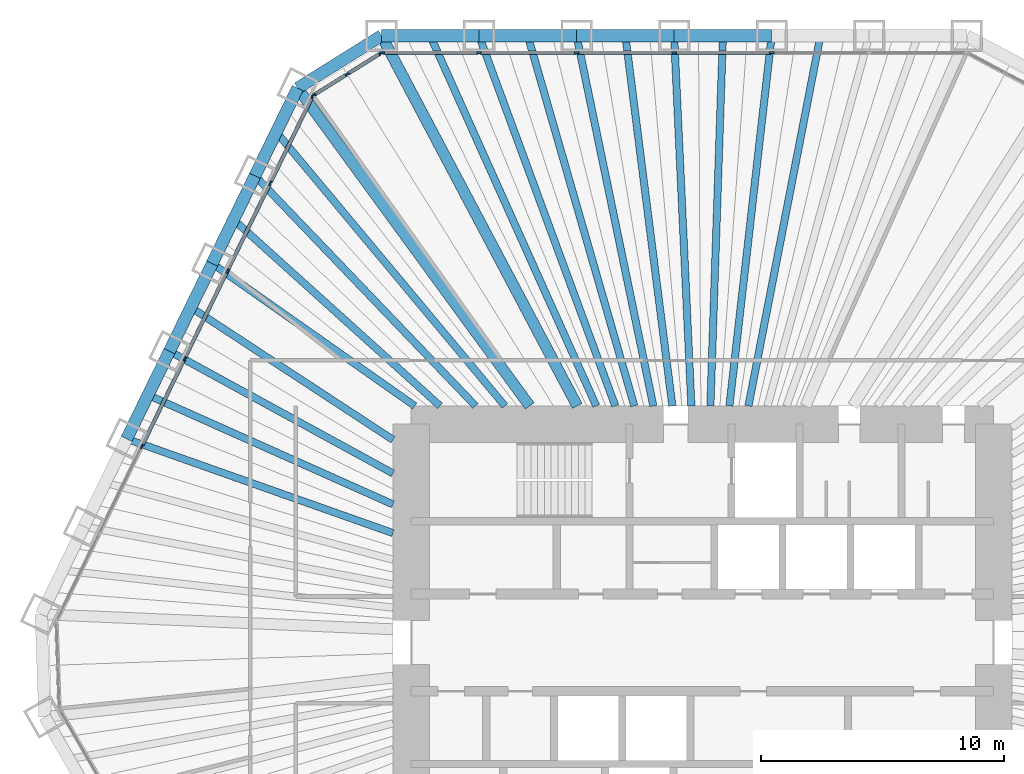
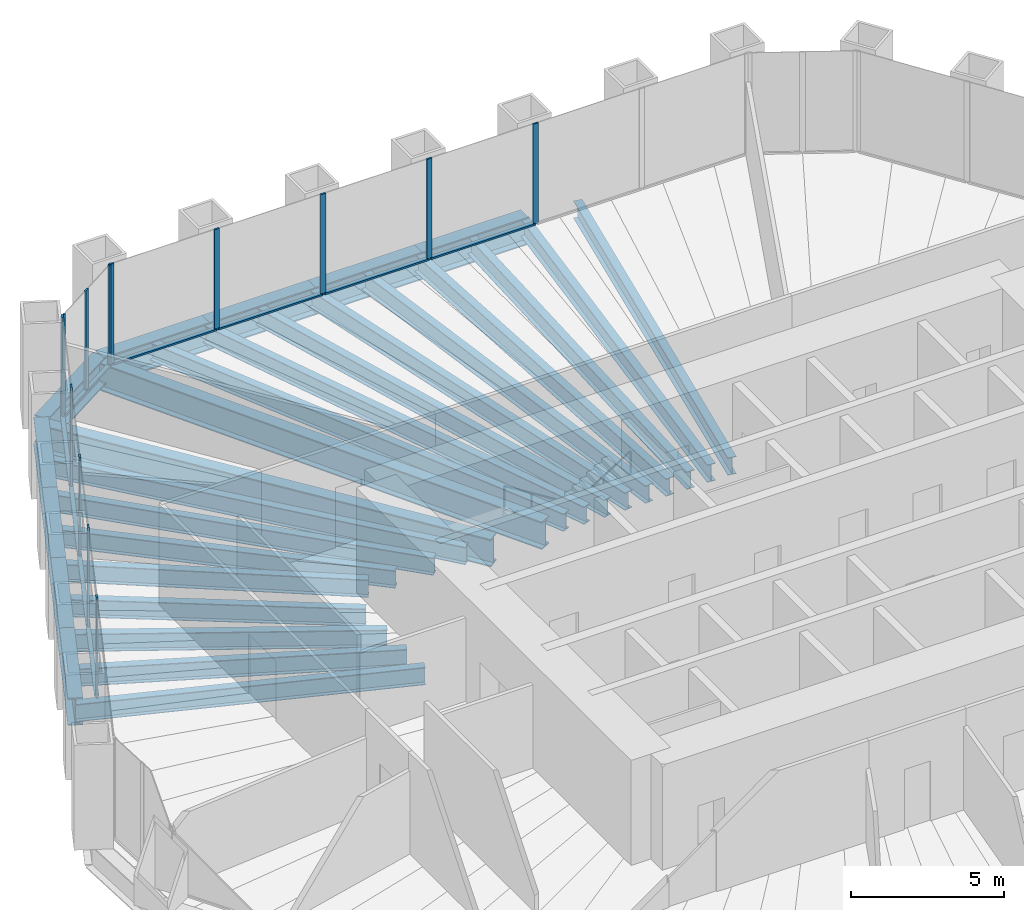
# One storey, part 6 of 13: 28 beams, 23 members, 3 elements without a shape of their own.
"""IFC4 building model written with IfcOpenShell, lengths in metres."""

from ifc_helpers import new_model, si_unit, direction, frame, origin, origin_2d, place, context, subcontext, project, spatial, rectangle, i_section, extrude, material, material_profile, profile_set, type_object, element, aggregate, save


model = new_model("IFC4")

# Units and contexts
model_context = context("Model", 3, precision=1e-05, world=origin(), true_north=direction((0.0, 1.0)))
body_context = subcontext(model_context, "Body", "Model", "MODEL_VIEW")
ifc_project = project(units=[si_unit("LENGTHUNIT", "METRE"), si_unit("AREAUNIT", "SQUARE_METRE"), si_unit("VOLUMEUNIT", "CUBIC_METRE"), si_unit("PLANEANGLEUNIT", "RADIAN"), si_unit("MASSUNIT", "GRAM", prefix="KILO")], contexts=[model_context])

# Site, building, storey
site_placement = place(None, origin())
site = spatial("IfcSite", under=ifc_project, at=site_placement, CompositionType="ELEMENT")
building_placement = place(site_placement, origin())
building = spatial("IfcBuilding", under=site, at=building_placement, Name="Qingtian Harvest Tower", CompositionType="ELEMENT")
storey_placement = place(building_placement, frame((0.0, 0.0, 115.60009765625)))
storey = spatial("IfcBuildingStorey", under=building, at=storey_placement, Name="L23", CompositionType="ELEMENT", Elevation=115.60009765625)

# Beams
ifc_material_1 = material(Name="Steel SM570MC", Category="steel")
ifc_material_profile_1 = material_profile(ifc_material_1, i_section(OverallWidth=0.449951171875, OverallDepth=1.10009765625, WebThickness=0.02197265625, FlangeThickness=0.044921875, at=origin_2d()), Name="H1100x450x22x45")
ifc_profile_set_1 = profile_set([ifc_material_profile_1], Name="Steel SM570MC")
beam_type_1 = type_object("IfcBeamType", Name="Corner floor beam FB8 H1100x450x22x45", PredefinedType="BEAM", material=ifc_profile_set_1)
beam_1_placement = place(storey_placement, frame((-13.2216796875, 25.0, -0.72021484375), z_axis=(0.46750989692, -0.88398783718, 0.0), x_axis=(0.88398783718, 0.46750989692, 0.0)))
element("IfcBeam", 1, at=beam_1_placement, inside=storey, type_object=beam_type_1, Name="Floor beam FB8 N0", PredefinedType="BEAM", context=body_context, shape_type="SweptSolid", body=[
    extrude(i_section(OverallWidth=0.449951171875, OverallDepth=1.10009765625, WebThickness=0.02197265625, FlangeThickness=0.044921875, at=origin_2d()), origin(), (0.0, 0.0, 1.0), 17.25146484375),
])
beam_2_placement = place(storey_placement, frame((-16.673828125, 22.8427734375, -0.72021484375), z_axis=(0.589577703364, -0.807711663712, 0.0), x_axis=(0.807711663712, 0.589577703364, 0.0)))
element("IfcBeam", 2, at=beam_2_placement, inside=storey, type_object=beam_type_1, Name="Floor beam FB8 NW6", PredefinedType="BEAM", context=body_context, shape_type="SweptSolid", body=[
    extrude(i_section(OverallWidth=0.449951171875, OverallDepth=1.10009765625, WebThickness=0.02197265625, FlangeThickness=0.044921875, at=origin_2d()), origin(), (0.0, 0.0, 1.0), 16.209716796875),
])
ifc_material_2 = material(Name="Steel SN490B", Category="steel")
ifc_material_profile_2 = material_profile(ifc_material_2, i_section(OverallWidth=0.300048828125, OverallDepth=0.699951171875, WebThickness=0.012939453125, FlangeThickness=0.02392578125, at=origin_2d()), Name="H700x300x13x24")
ifc_profile_set_2 = profile_set([ifc_material_profile_2], Name="Steel SN490B")
beam_type_2 = type_object("IfcBeamType", Name="Floor beam FB2 H700x300x13x24", PredefinedType="BEAM", material=ifc_profile_set_2)
beam_3_placement = place(storey_placement, frame((-9.20263671875, 25.0, -0.52001953125), z_axis=(0.345440084985, -0.938440806703, 0.0), x_axis=(0.938440806703, 0.345440084985, 0.0)))
element("IfcBeam", 3, at=beam_3_placement, inside=storey, type_object=beam_type_2, Name="Floor beam FB2 N1", PredefinedType="BEAM", context=body_context, shape_type="SweptSolid", body=[
    extrude(i_section(OverallWidth=0.300048828125, OverallDepth=0.699951171875, WebThickness=0.012939453125, FlangeThickness=0.02392578125, at=origin_2d()), origin(), (0.0, 0.0, 1.0), 16.250244140625),
])
beam_4_placement = place(storey_placement, frame((-5.18359375, 25.0, -0.52001953125), z_axis=(0.203032709566, -0.979171955709, 0.0), x_axis=(0.979171955709, 0.203032709566, 0.0)))
element("IfcBeam", 4, at=beam_4_placement, inside=storey, type_object=beam_type_2, Name="Floor beam FB2 N2", PredefinedType="BEAM", context=body_context, shape_type="SweptSolid", body=[
    extrude(i_section(OverallWidth=0.300048828125, OverallDepth=0.699951171875, WebThickness=0.012939453125, FlangeThickness=0.02392578125, at=origin_2d()), origin(), (0.0, 0.0, 1.0), 15.574462890625),
])
beam_5_placement = place(storey_placement, frame((-1.16455078125, 25.0, -0.52001953125), z_axis=(0.046536361684, -0.998916596639, 0.0), x_axis=(0.998916596639, 0.046536361684, 0.0)))
element("IfcBeam", 5, at=beam_5_placement, inside=storey, type_object=beam_type_2, Name="Floor beam FB2 N3", PredefinedType="BEAM", context=body_context, shape_type="SweptSolid", body=[
    extrude(i_section(OverallWidth=0.300048828125, OverallDepth=0.699951171875, WebThickness=0.012939453125, FlangeThickness=0.02392578125, at=origin_2d()), origin(), (0.0, 0.0, 1.0), 15.2666015625),
])
beam_6_placement = place(storey_placement, frame((2.8544921875, 25.0, -0.52001953125), z_axis=(-0.113440722222, -0.993544766249, 0.0), x_axis=(0.993544766249, -0.113440722222, 0.0)))
element("IfcBeam", 6, at=beam_6_placement, inside=storey, type_object=beam_type_2, Name="Floor beam FB2 N4", PredefinedType="BEAM", context=body_context, shape_type="SweptSolid", body=[
    extrude(i_section(OverallWidth=0.300048828125, OverallDepth=0.699951171875, WebThickness=0.012939453125, FlangeThickness=0.02392578125, at=origin_2d()), origin(), (0.0, 0.0, 1.0), 15.34912109375),
])
beam_7_placement = place(storey_placement, frame((-23.72119140625, 8.3935546875, -0.52001953125), z_axis=(0.942723186419, -0.333576068967, 0.0), x_axis=(0.333576068967, 0.942723186419, 0.0)))
element("IfcBeam", 7, at=beam_7_placement, inside=storey, type_object=beam_type_2, Name="Floor beam FB2 NW2", PredefinedType="BEAM", context=body_context, shape_type="SweptSolid", body=[
    extrude(i_section(OverallWidth=0.300048828125, OverallDepth=0.699951171875, WebThickness=0.012939453125, FlangeThickness=0.02392578125, at=origin_2d()), origin(), (0.0, 0.0, 1.0), 11.6376953125),
])
beam_8_placement = place(storey_placement, frame((-21.95947265625, 12.005859375, -0.52001953125), z_axis=(0.877432026785, -0.479700988505, 0.0), x_axis=(0.479700988505, 0.877432026785, 0.0)))
element("IfcBeam", 8, at=beam_8_placement, inside=storey, type_object=beam_type_2, Name="Floor beam FB2 NW3", PredefinedType="BEAM", context=body_context, shape_type="SweptSolid", body=[
    extrude(i_section(OverallWidth=0.300048828125, OverallDepth=0.699951171875, WebThickness=0.012939453125, FlangeThickness=0.02392578125, at=origin_2d()), origin(), (0.0, 0.0, 1.0), 10.495849609375),
])
beam_9_placement = place(storey_placement, frame((-20.197509765625, 15.6181640625, -0.52001953125), z_axis=(0.818080343043, -0.57510394915, 0.0), x_axis=(0.57510394915, 0.818080343043, 0.0)))
element("IfcBeam", 9, at=beam_9_placement, inside=storey, type_object=beam_type_2, Name="Floor beam FB2 NW4", PredefinedType="BEAM", context=body_context, shape_type="SweptSolid", body=[
    extrude(i_section(OverallWidth=0.300048828125, OverallDepth=0.699951171875, WebThickness=0.012939453125, FlangeThickness=0.02392578125, at=origin_2d()), origin(), (0.0, 0.0, 1.0), 10.20361328125),
])
beam_10_placement = place(storey_placement, frame((-18.435791015625, 19.23046875, -0.52001953125), z_axis=(0.69204101057, -0.721858185303, 0.0), x_axis=(0.721858185303, 0.69204101057, 0.0)))
element("IfcBeam", 10, at=beam_10_placement, inside=storey, type_object=beam_type_2, Name="Floor beam FB2 NW5", PredefinedType="BEAM", context=body_context, shape_type="SweptSolid", body=[
    extrude(i_section(OverallWidth=0.300048828125, OverallDepth=0.699951171875, WebThickness=0.012939453125, FlangeThickness=0.02392578125, at=origin_2d()), origin(), (0.0, 0.0, 1.0), 13.13330078125),
])
ifc_material_3 = material(Name="Steel SN490B", Category="steel")
ifc_material_profile_3 = material_profile(ifc_material_3, i_section(OverallWidth=0.300048828125, OverallDepth=0.699951171875, WebThickness=0.012939453125, FlangeThickness=0.02392578125, at=origin_2d()), Name="H700x300x13x24")
ifc_profile_set_3 = profile_set([ifc_material_profile_3], Name="Steel SN490B")
beam_type_3 = type_object("IfcBeamType", Name="Floor joist J2 H700x300x13x24", PredefinedType="JOIST", material=ifc_profile_set_3)
beam_11_placement = place(storey_placement, frame((-11.212158203125, 25.0, -0.52001953125), z_axis=(0.409212761683, -0.912438992852, 0.0), x_axis=(0.912438992852, 0.409212761683, 0.0)))
element("IfcBeam", 11, at=beam_11_placement, inside=storey, type_object=beam_type_3, Name="Floor joist J2 N0", PredefinedType="JOIST", context=body_context, shape_type="SweptSolid", body=[
    extrude(i_section(OverallWidth=0.300048828125, OverallDepth=0.699951171875, WebThickness=0.012939453125, FlangeThickness=0.02392578125, at=origin_2d()), origin(), (0.0, 0.0, 1.0), 16.71337890625),
])
beam_12_placement = place(storey_placement, frame((-7.193115234375, 25.0, -0.52001953125), z_axis=(0.276500682027, -0.961013721462, 0.0), x_axis=(0.961013721462, 0.276500682027, 0.0)))
element("IfcBeam", 12, at=beam_12_placement, inside=storey, type_object=beam_type_3, Name="Floor joist J2 N1", PredefinedType="JOIST", context=body_context, shape_type="SweptSolid", body=[
    extrude(i_section(OverallWidth=0.300048828125, OverallDepth=0.699951171875, WebThickness=0.012939453125, FlangeThickness=0.02392578125, at=origin_2d()), origin(), (0.0, 0.0, 1.0), 15.86865234375),
])
beam_13_placement = place(storey_placement, frame((-3.174072265625, 25.0, -0.52001953125), z_axis=(0.125957899702, -0.992035587821, 0.0), x_axis=(0.992035587821, 0.125957899702, 0.0)))
element("IfcBeam", 13, at=beam_13_placement, inside=storey, type_object=beam_type_3, Name="Floor joist J2 N2", PredefinedType="JOIST", context=body_context, shape_type="SweptSolid", body=[
    extrude(i_section(OverallWidth=0.300048828125, OverallDepth=0.699951171875, WebThickness=0.012939453125, FlangeThickness=0.02392578125, at=origin_2d()), origin(), (0.0, 0.0, 1.0), 15.372314453125),
])
beam_14_placement = place(storey_placement, frame((0.844970703125, 25.0, -0.52001953125), z_axis=(-0.033776183237, -0.999429421943, 0.0), x_axis=(0.999429421943, -0.033776183237, 0.0)))
element("IfcBeam", 14, at=beam_14_placement, inside=storey, type_object=beam_type_3, Name="Floor joist J2 N3", PredefinedType="JOIST", context=body_context, shape_type="SweptSolid", body=[
    extrude(i_section(OverallWidth=0.300048828125, OverallDepth=0.699951171875, WebThickness=0.012939453125, FlangeThickness=0.02392578125, at=origin_2d()), origin(), (0.0, 0.0, 1.0), 15.2587890625),
])
beam_15_placement = place(storey_placement, frame((4.864013671875, 25.0, -0.52001953125), z_axis=(-0.190979017217, -0.981594119269, 0.0), x_axis=(0.981594119269, -0.190979017217, 0.0)))
element("IfcBeam", 15, at=beam_15_placement, inside=storey, type_object=beam_type_3, Name="Floor joist J2 N4", PredefinedType="JOIST", context=body_context, shape_type="SweptSolid", body=[
    extrude(i_section(OverallWidth=0.300048828125, OverallDepth=0.699951171875, WebThickness=0.012939453125, FlangeThickness=0.02392578125, at=origin_2d()), origin(), (0.0, 0.0, 1.0), 15.535888671875),
])
beam_16_placement = place(storey_placement, frame((-22.84033203125, 10.19970703125, -0.52001953125), z_axis=(0.913095877166, -0.407744919162, 0.0), x_axis=(0.407744919162, 0.913095877166, 0.0)))
element("IfcBeam", 16, at=beam_16_placement, inside=storey, type_object=beam_type_3, Name="Floor joist J2 NW2", PredefinedType="JOIST", context=body_context, shape_type="SweptSolid", body=[
    extrude(i_section(OverallWidth=0.300048828125, OverallDepth=0.699951171875, WebThickness=0.012939453125, FlangeThickness=0.02392578125, at=origin_2d()), origin(), (0.0, 0.0, 1.0), 11.05078125),
])
beam_17_placement = place(storey_placement, frame((-21.078369140625, 13.81201171875, -0.52001953125), z_axis=(0.836426246046, -0.548079496903, 0.0), x_axis=(0.548079496903, 0.836426246046, 0.0)))
element("IfcBeam", 17, at=beam_17_placement, inside=storey, type_object=beam_type_3, Name="Floor joist J2 NW3", PredefinedType="JOIST", context=body_context, shape_type="SweptSolid", body=[
    extrude(i_section(OverallWidth=0.300048828125, OverallDepth=0.699951171875, WebThickness=0.012939453125, FlangeThickness=0.02392578125, at=origin_2d()), origin(), (0.0, 0.0, 1.0), 9.95703125),
])
beam_18_placement = place(storey_placement, frame((-19.316650390625, 17.42431640625, -0.52001953125), z_axis=(0.742543540775, -0.669797797886, 0.0), x_axis=(0.669797797886, 0.742543540775, 0.0)))
element("IfcBeam", 18, at=beam_18_placement, inside=storey, type_object=beam_type_3, Name="Floor joist J2 NW4", PredefinedType="JOIST", context=body_context, shape_type="SweptSolid", body=[
    extrude(i_section(OverallWidth=0.300048828125, OverallDepth=0.699951171875, WebThickness=0.012939453125, FlangeThickness=0.02392578125, at=origin_2d()), origin(), (0.0, 0.0, 1.0), 11.457763671875),
])
beam_19_placement = place(storey_placement, frame((-17.5546875, 21.03662109375, -0.52001953125), z_axis=(0.640703730007, -0.767788206704, 0.0), x_axis=(0.767788206704, 0.640703730007, 0.0)))
element("IfcBeam", 19, at=beam_19_placement, inside=storey, type_object=beam_type_3, Name="Floor joist J2 NW5", PredefinedType="JOIST", context=body_context, shape_type="SweptSolid", body=[
    extrude(i_section(OverallWidth=0.300048828125, OverallDepth=0.699951171875, WebThickness=0.012939453125, FlangeThickness=0.02392578125, at=origin_2d()), origin(), (0.0, 0.0, 1.0), 14.7001953125),
])

# Curtain wall, members
ifc_material_4 = material(Name="Bronze-anodised aluminium curtain wall", Category="aluminium")
curtain_wall_type = type_object("IfcCurtainWallType", Name="Curtain wall CW4 office", PredefinedType="USERDEFINED", material=ifc_material_4)
curtain_wall_1_placement = place(storey_placement, origin())
curtain_wall_1 = element("IfcCurtainWall", 20, at=curtain_wall_1_placement, inside=storey, type_object=curtain_wall_type, Name="Curtain wall CW4 L23 N0-5", ObjectType="RECESSED CURTAIN WALL", PredefinedType="USERDEFINED")
ifc_material_5 = material(Name="Bronze-anodised aluminium mullion", Category="aluminium")
ifc_material_profile_4 = material_profile(ifc_material_5, rectangle(XDim=0.06494140625, YDim=0.199951171875, at=origin_2d()), Name="AL 65x200")
ifc_profile_set_4 = profile_set([ifc_material_profile_4], Name="Bronze-anodised aluminium mullion")
member_type_1 = type_object("IfcMemberType", Name="Mullion CWM 65x200", PredefinedType="MULLION", material=ifc_profile_set_4)
member_1_placement = place(storey_placement, frame((-13.189208984375, 24.300048828125, 0.0), z_axis=(0.0, 0.0, 1.0), x_axis=(0.0, 1.0, 0.0)))
member_1 = element("IfcMember", 21, at=member_1_placement, type_object=member_type_1, Name="CW4 mullion 1", PredefinedType="MULLION", context=body_context, shape_type="SweptSolid", body=[
    extrude(rectangle(XDim=0.06494140625, YDim=0.199951171875, at=origin_2d()), origin(), (0.0, 0.0, 1.0), 4.02978515625),
])
member_2_placement = place(storey_placement, frame((-9.20263671875, 24.300048828125, 0.0), z_axis=(0.0, 0.0, 1.0), x_axis=(0.0, 1.0, 0.0)))
member_2 = element("IfcMember", 22, at=member_2_placement, type_object=member_type_1, Name="CW4 mullion 2", PredefinedType="MULLION", context=body_context, shape_type="SweptSolid", body=[
    extrude(rectangle(XDim=0.06494140625, YDim=0.199951171875, at=origin_2d()), origin(), (0.0, 0.0, 1.0), 4.02978515625),
])
member_3_placement = place(storey_placement, frame((-5.18359375, 24.300048828125, 0.0), z_axis=(0.0, 0.0, 1.0), x_axis=(0.0, 1.0, 0.0)))
member_3 = element("IfcMember", 23, at=member_3_placement, type_object=member_type_1, Name="CW4 mullion 3", PredefinedType="MULLION", context=body_context, shape_type="SweptSolid", body=[
    extrude(rectangle(XDim=0.06494140625, YDim=0.199951171875, at=origin_2d()), origin(), (0.0, 0.0, 1.0), 4.02978515625),
])
member_4_placement = place(storey_placement, frame((-1.16455078125, 24.300048828125, 0.0), z_axis=(0.0, 0.0, 1.0), x_axis=(0.0, 1.0, 0.0)))
member_4 = element("IfcMember", 24, at=member_4_placement, type_object=member_type_1, Name="CW4 mullion 4", PredefinedType="MULLION", context=body_context, shape_type="SweptSolid", body=[
    extrude(rectangle(XDim=0.06494140625, YDim=0.199951171875, at=origin_2d()), origin(), (0.0, 0.0, 1.0), 4.02978515625),
])
member_5_placement = place(storey_placement, frame((2.8544921875, 24.300048828125, 0.0), z_axis=(0.0, 0.0, 1.0), x_axis=(0.0, 1.0, 0.0)))
member_5 = element("IfcMember", 25, at=member_5_placement, type_object=member_type_1, Name="CW4 mullion 5", PredefinedType="MULLION", context=body_context, shape_type="SweptSolid", body=[
    extrude(rectangle(XDim=0.06494140625, YDim=0.199951171875, at=origin_2d()), origin(), (0.0, 0.0, 1.0), 4.02978515625),
])

curtain_wall_2_placement = place(storey_placement, origin())
curtain_wall_2 = element("IfcCurtainWall", 26, at=curtain_wall_2_placement, inside=storey, type_object=curtain_wall_type, Name="Curtain wall CW4 L23 NW0-5", ObjectType="RECESSED CURTAIN WALL", PredefinedType="USERDEFINED")
member_6_placement = place(storey_placement, frame((-23.092041015625, 8.086669921875, 0.0), z_axis=(0.0, 0.0, 1.0), x_axis=(-0.898794046299, 0.438371146789, 0.0)))
member_6 = element("IfcMember", 27, at=member_6_placement, type_object=member_type_1, Name="CW4 mullion 3", PredefinedType="MULLION", context=body_context, shape_type="SweptSolid", body=[
    extrude(rectangle(XDim=0.06494140625, YDim=0.199951171875, at=origin_2d()), origin(), (0.0, 0.0, 1.0), 4.02978515625),
])
member_7_placement = place(storey_placement, frame((-21.330322265625, 11.698974609375, 0.0), z_axis=(0.0, 0.0, 1.0), x_axis=(-0.898794046299, 0.438371146789, 0.0)))
member_7 = element("IfcMember", 28, at=member_7_placement, type_object=member_type_1, Name="CW4 mullion 4", PredefinedType="MULLION", context=body_context, shape_type="SweptSolid", body=[
    extrude(rectangle(XDim=0.06494140625, YDim=0.199951171875, at=origin_2d()), origin(), (0.0, 0.0, 1.0), 4.02978515625),
])
member_8_placement = place(storey_placement, frame((-19.568359375, 15.311279296875, 0.0), z_axis=(0.0, 0.0, 1.0), x_axis=(-0.898794046299, 0.438371146789, 0.0)))
member_8 = element("IfcMember", 29, at=member_8_placement, type_object=member_type_1, Name="CW4 mullion 5", PredefinedType="MULLION", context=body_context, shape_type="SweptSolid", body=[
    extrude(rectangle(XDim=0.06494140625, YDim=0.199951171875, at=origin_2d()), origin(), (0.0, 0.0, 1.0), 4.02978515625),
])
member_9_placement = place(storey_placement, frame((-17.806396484375, 18.923828125, 0.0), z_axis=(0.0, 0.0, 1.0), x_axis=(-0.898794046299, 0.438371146789, 0.0)))
member_9 = element("IfcMember", 30, at=member_9_placement, type_object=member_type_1, Name="CW4 mullion 6", PredefinedType="MULLION", context=body_context, shape_type="SweptSolid", body=[
    extrude(rectangle(XDim=0.06494140625, YDim=0.199951171875, at=origin_2d()), origin(), (0.0, 0.0, 1.0), 4.02978515625),
])
member_10_placement = place(storey_placement, frame((-16.058837890625, 22.5068359375, 0.0), z_axis=(0.0, 0.0, 1.0), x_axis=(-0.898794046299, 0.438371146789, 0.0)))
member_10 = element("IfcMember", 31, at=member_10_placement, type_object=member_type_1, Name="CW4 mullion 7", PredefinedType="MULLION", context=body_context, shape_type="SweptSolid", body=[
    extrude(rectangle(XDim=0.06494140625, YDim=0.199951171875, at=origin_2d()), origin(), (0.0, 0.0, 1.0), 4.02978515625),
])

curtain_wall_3_placement = place(storey_placement, origin())
curtain_wall_3 = element("IfcCurtainWall", 32, at=curtain_wall_3_placement, inside=storey, type_object=curtain_wall_type, Name="Curtain wall CW4 L23 NWC", ObjectType="RECESSED CURTAIN WALL", PredefinedType="USERDEFINED")
member_11_placement = place(storey_placement, frame((-16.01708984375, 22.55322265625, 0.0), z_axis=(0.0, 0.0, 1.0), x_axis=(-0.529919264233, 0.848048096156, 0.0)))
member_11 = element("IfcMember", 33, at=member_11_placement, type_object=member_type_1, Name="CW4 mullion 1", PredefinedType="MULLION", context=body_context, shape_type="SweptSolid", body=[
    extrude(rectangle(XDim=0.06494140625, YDim=0.199951171875, at=origin_2d()), origin(), (0.0, 0.0, 1.0), 4.02978515625),
])
member_12_placement = place(storey_placement, frame((-14.63330078125, 23.41796875, 0.0), z_axis=(0.0, 0.0, 1.0), x_axis=(-0.529919264233, 0.848048096156, 0.0)))
member_12 = element("IfcMember", 34, at=member_12_placement, type_object=member_type_1, Name="CW4 mullion 2", PredefinedType="MULLION", context=body_context, shape_type="SweptSolid", body=[
    extrude(rectangle(XDim=0.06494140625, YDim=0.199951171875, at=origin_2d()), origin(), (0.0, 0.0, 1.0), 4.02978515625),
])
member_13_placement = place(storey_placement, frame((-13.249267578125, 24.28271484375, 0.0), z_axis=(0.0, 0.0, 1.0), x_axis=(-0.529919264233, 0.848048096156, 0.0)))
member_13 = element("IfcMember", 35, at=member_13_placement, type_object=member_type_1, Name="CW4 mullion 3", PredefinedType="MULLION", context=body_context, shape_type="SweptSolid", body=[
    extrude(rectangle(XDim=0.06494140625, YDim=0.199951171875, at=origin_2d()), origin(), (0.0, 0.0, 1.0), 4.02978515625),
])

# Beams
ifc_material_6 = material(Name="Steel SM570MC", Category="steel")
ifc_material_profile_5 = material_profile(ifc_material_6, i_section(OverallWidth=0.5, OverallDepth=1.10009765625, WebThickness=0.02490234375, FlangeThickness=0.050048828125, at=origin_2d()), Name="H1100x500x25x50")
ifc_profile_set_5 = profile_set([ifc_material_profile_5], Name="Steel SM570MC")
beam_type_4 = type_object("IfcBeamType", Name="Spandrel beam SB2 H1100x500x25x50", PredefinedType="SPANDREL", material=ifc_profile_set_5)
for number, where, z_axis, x_axis, name in (
    (36, (-13.2216796875, 25.0, -0.550048828125), (1.0, 0.0, 0.0), (0.0, 1.0, 0.0), "Spandrel SB2 N0"),
    (37, (-9.20263671875, 25.0, -0.550048828125), (1.0, 0.0, 0.0), (0.0, 1.0, 0.0), "Spandrel SB2 N1"),
    (38, (-5.18359375, 25.0, -0.550048828125), (1.0, 0.0, 0.0), (0.0, 1.0, 0.0), "Spandrel SB2 N2"),
    (39, (-1.16455078125, 25.0, -0.550048828125), (1.0, 0.0, 0.0), (0.0, 1.0, 0.0), "Spandrel SB2 N3"),
    (40, (-23.72119140625, 8.3935546875, -0.550048828125), (0.438347033158, 0.898805806902, 0.0), (-0.898805806902, 0.438347033158, 0.0), "Spandrel SB2 NW2"),
    (41, (-21.95947265625, 12.005859375, -0.550048828125), (0.438396105405, 0.89878187274, 0.0), (-0.89878187274, 0.438396105405, 0.0), "Spandrel SB2 NW3"),
    (42, (-20.197509765625, 15.6181640625, -0.550048828125), (0.438347033158, 0.898805806902, 0.0), (-0.898805806902, 0.438347033158, 0.0), "Spandrel SB2 NW4"),
    (43, (-18.435791015625, 19.23046875, -0.550048828125), (0.438396105405, 0.89878187274, 0.0), (-0.89878187274, 0.438396105405, 0.0), "Spandrel SB2 NW5"),
):
    element("IfcBeam", number, at=place(storey_placement, frame(where, z_axis=z_axis, x_axis=x_axis)), inside=storey, type_object=beam_type_4, Name=name, PredefinedType="SPANDREL", context=body_context, shape_type="SweptSolid", body=[
        extrude(i_section(OverallWidth=0.5, OverallDepth=1.10009765625, WebThickness=0.02490234375, FlangeThickness=0.050048828125, at=origin_2d()), origin(), (0.0, 0.0, 1.0), 4.01904296875),
    ])
beam_20_placement = place(storey_placement, frame((-16.673828125, 22.8427734375, -0.550048828125), z_axis=(0.848038733752, 0.529934246919, 0.0), x_axis=(-0.529934246919, 0.848038733752, 0.0)))
element("IfcBeam", 44, at=beam_20_placement, inside=storey, type_object=beam_type_4, Name="Spandrel SB2 NWC", PredefinedType="SPANDREL", context=body_context, shape_type="SweptSolid", body=[
    extrude(i_section(OverallWidth=0.5, OverallDepth=1.10009765625, WebThickness=0.02490234375, FlangeThickness=0.050048828125, at=origin_2d()), origin(), (0.0, 0.0, 1.0), 4.07080078125),
])

# Member
ifc_material_7 = material(Name="Bronze-anodised aluminium transom", Category="aluminium")
ifc_material_profile_6 = material_profile(ifc_material_7, rectangle(XDim=0.14990234375, YDim=0.06494140625, at=origin_2d()), Name="AL 65x150")
ifc_profile_set_6 = profile_set([ifc_material_profile_6], Name="Bronze-anodised aluminium transom")
member_type_2 = type_object("IfcMemberType", Name="Transom CWT 65x150", PredefinedType="USERDEFINED", material=ifc_profile_set_6)
member_14_placement = place(storey_placement, frame((-13.15673828125, 24.300048828125, 0.032470703125), z_axis=(1.0, 0.0, 0.0), x_axis=(0.0, 1.0, 0.0)))
member_14 = element("IfcMember", 45, at=member_14_placement, type_object=member_type_2, Name="CW4 transom 1.1", ObjectType="TRANSOM", PredefinedType="USERDEFINED", context=body_context, shape_type="SweptSolid", body=[
    extrude(rectangle(XDim=0.14990234375, YDim=0.06494140625, at=origin_2d()), origin(), (0.0, 0.0, 1.0), 3.921630859375),
])

member_15_placement = place(storey_placement, frame((-9.170166015625, 24.300048828125, 0.032470703125), z_axis=(1.0, 0.0, 0.0), x_axis=(0.0, 1.0, 0.0)))
member_15 = element("IfcMember", 46, at=member_15_placement, type_object=member_type_2, Name="CW4 transom 2.1", ObjectType="TRANSOM", PredefinedType="USERDEFINED", context=body_context, shape_type="SweptSolid", body=[
    extrude(rectangle(XDim=0.14990234375, YDim=0.06494140625, at=origin_2d()), origin(), (0.0, 0.0, 1.0), 3.9541015625),
])

member_16_placement = place(storey_placement, frame((-5.151123046875, 24.300048828125, 0.032470703125), z_axis=(1.0, 0.0, 0.0), x_axis=(0.0, 1.0, 0.0)))
member_16 = element("IfcMember", 47, at=member_16_placement, type_object=member_type_2, Name="CW4 transom 3.1", ObjectType="TRANSOM", PredefinedType="USERDEFINED", context=body_context, shape_type="SweptSolid", body=[
    extrude(rectangle(XDim=0.14990234375, YDim=0.06494140625, at=origin_2d()), origin(), (0.0, 0.0, 1.0), 3.9541015625),
])

member_17_placement = place(storey_placement, frame((-1.132080078125, 24.300048828125, 0.032470703125), z_axis=(1.0, 0.0, 0.0), x_axis=(0.0, 1.0, 0.0)))
member_17 = element("IfcMember", 48, at=member_17_placement, type_object=member_type_2, Name="CW4 transom 4.1", ObjectType="TRANSOM", PredefinedType="USERDEFINED", context=body_context, shape_type="SweptSolid", body=[
    extrude(rectangle(XDim=0.14990234375, YDim=0.06494140625, at=origin_2d()), origin(), (0.0, 0.0, 1.0), 3.9541015625),
])

aggregate(curtain_wall_1, [member_1, member_2, member_3, member_4, member_5, member_14, member_15, member_16, member_17])

member_18_placement = place(storey_placement, frame((-23.077880859375, 8.115966796875, 0.032470703125), z_axis=(0.438374972828, 0.898792180205, 0.0), x_axis=(-0.898792180205, 0.438374972828, 0.0)))
member_18 = element("IfcMember", 49, at=member_18_placement, type_object=member_type_2, Name="CW4 transom 3.1", ObjectType="TRANSOM", PredefinedType="USERDEFINED", context=body_context, shape_type="SweptSolid", body=[
    extrude(rectangle(XDim=0.14990234375, YDim=0.06494140625, at=origin_2d()), origin(), (0.0, 0.0, 1.0), 3.9541015625),
])

member_19_placement = place(storey_placement, frame((-21.31591796875, 11.728271484375, 0.032470703125), z_axis=(0.438374972828, 0.898792180205, 0.0), x_axis=(-0.898792180205, 0.438374972828, 0.0)))
member_19 = element("IfcMember", 50, at=member_19_placement, type_object=member_type_2, Name="CW4 transom 4.1", ObjectType="TRANSOM", PredefinedType="USERDEFINED", context=body_context, shape_type="SweptSolid", body=[
    extrude(rectangle(XDim=0.14990234375, YDim=0.06494140625, at=origin_2d()), origin(), (0.0, 0.0, 1.0), 3.9541015625),
])

member_20_placement = place(storey_placement, frame((-19.55419921875, 15.340576171875, 0.032470703125), z_axis=(0.438374972828, 0.898792180205, 0.0), x_axis=(-0.898792180205, 0.438374972828, 0.0)))
member_20 = element("IfcMember", 51, at=member_20_placement, type_object=member_type_2, Name="CW4 transom 5.1", ObjectType="TRANSOM", PredefinedType="USERDEFINED", context=body_context, shape_type="SweptSolid", body=[
    extrude(rectangle(XDim=0.14990234375, YDim=0.06494140625, at=origin_2d()), origin(), (0.0, 0.0, 1.0), 3.9541015625),
])

member_21_placement = place(storey_placement, frame((-17.792236328125, 18.952880859375, 0.032470703125), z_axis=(0.438351261745, 0.898803744611, 0.0), x_axis=(-0.898803744611, 0.438351261745, 0.0)))
member_21 = element("IfcMember", 52, at=member_21_placement, type_object=member_type_2, Name="CW4 transom 6.1", ObjectType="TRANSOM", PredefinedType="USERDEFINED", context=body_context, shape_type="SweptSolid", body=[
    extrude(rectangle(XDim=0.14990234375, YDim=0.06494140625, at=origin_2d()), origin(), (0.0, 0.0, 1.0), 3.92138671875),
])

aggregate(curtain_wall_2, [member_6, member_7, member_8, member_9, member_10, member_18, member_19, member_20, member_21])

member_22_placement = place(storey_placement, frame((-15.989501953125, 22.570556640625, 0.032470703125), z_axis=(0.848059570903, 0.529900900357, 0.0), x_axis=(-0.529900900357, 0.848059570903, 0.0)))
member_22 = element("IfcMember", 53, at=member_22_placement, type_object=member_type_2, Name="CW4 transom 1.1", ObjectType="TRANSOM", PredefinedType="USERDEFINED", context=body_context, shape_type="SweptSolid", body=[
    extrude(rectangle(XDim=0.14990234375, YDim=0.06494140625, at=origin_2d()), origin(), (0.0, 0.0, 1.0), 1.56689453125),
])

member_23_placement = place(storey_placement, frame((-14.605712890625, 23.435302734375, 0.032470703125), z_axis=(0.848059570903, 0.529900900357, 0.0), x_axis=(-0.529900900357, 0.848059570903, 0.0)))
member_23 = element("IfcMember", 54, at=member_23_placement, type_object=member_type_2, Name="CW4 transom 2.1", ObjectType="TRANSOM", PredefinedType="USERDEFINED", context=body_context, shape_type="SweptSolid", body=[
    extrude(rectangle(XDim=0.14990234375, YDim=0.06494140625, at=origin_2d()), origin(), (0.0, 0.0, 1.0), 1.56689453125),
])

aggregate(curtain_wall_3, [member_11, member_12, member_13, member_22, member_23])

save(model, "model.ifc")
